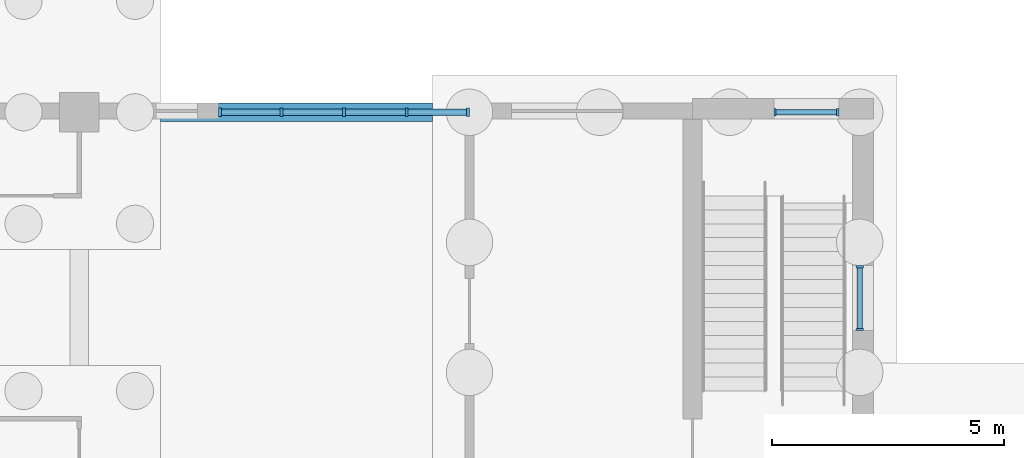
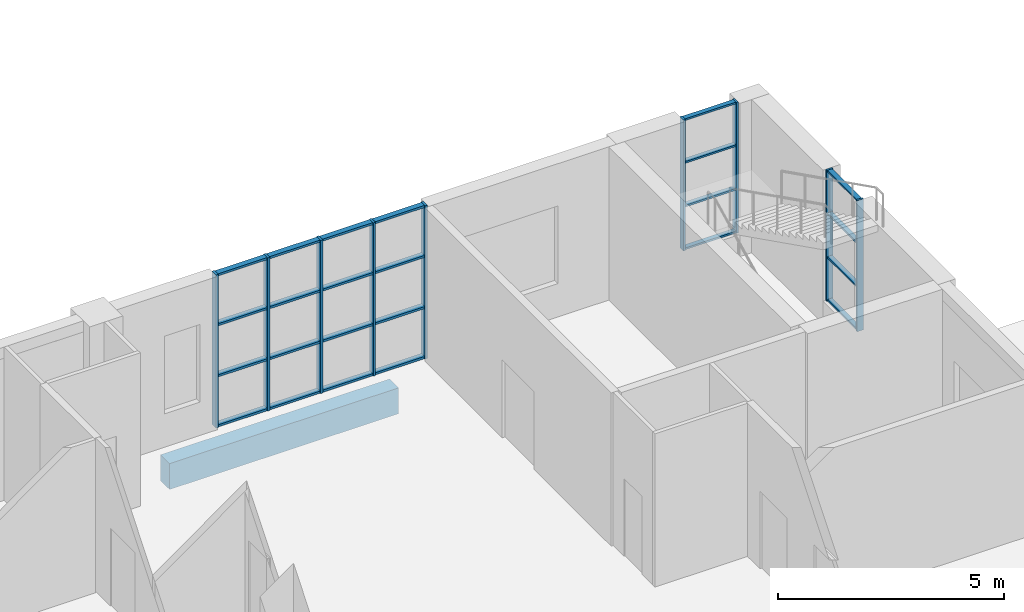
# One storey, part 74 of 138: 33 members, 1 beam, 3 elements without a shape of their own.
"""IFC4 building model written with IfcOpenShell, lengths in metres."""

from ifc_helpers import new_model, si_unit, direction, frame, origin, origin_2d, place, context, subcontext, project, spatial, rectangle, extrude, material, material_profile, profile_set, type_object, element, aggregate, save


model = new_model("IFC4")

# Units and contexts
model_context = context("Model", 3, precision=1e-05, world=origin(), true_north=direction((0.0, 1.0)))
body_context = subcontext(model_context, "Body", "Model", "MODEL_VIEW")
ifc_project = project(units=[si_unit("LENGTHUNIT", "METRE"), si_unit("AREAUNIT", "SQUARE_METRE"), si_unit("VOLUMEUNIT", "CUBIC_METRE"), si_unit("PLANEANGLEUNIT", "RADIAN"), si_unit("MASSUNIT", "GRAM", prefix="KILO")], contexts=[model_context])

# Site, building, storey
site_placement = place(None, origin())
site = spatial("IfcSite", under=ifc_project, at=site_placement, CompositionType="ELEMENT")
building_placement = place(site_placement, origin())
building = spatial("IfcBuilding", under=site, at=building_placement, Name="Yavir Park General Hospital", CompositionType="ELEMENT")
storey_placement = place(building_placement, origin())
storey = spatial("IfcBuildingStorey", under=building, at=storey_placement, Name="L00", CompositionType="ELEMENT", Elevation=0.0)

# Beam
ifc_material_1 = material(Name="Concrete C35/45", Category="concrete")
ifc_material_profile_1 = material_profile(ifc_material_1, rectangle(XDim=0.39990234375, YDim=0.699951171875, at=origin_2d()), Name="RC400x700")
ifc_profile_set_1 = profile_set([ifc_material_profile_1], Name="Concrete C35/45")
beam_type = type_object("IfcBeamType", Name="RC BEAM 400x700 ground beam", PredefinedType="BEAM", material=ifc_profile_set_1)
beam_placement = place(storey_placement, frame((10.14990234375, 117.60009765625, -0.800048828125), z_axis=(1.0, 0.0, 0.0), x_axis=(0.0, 1.0, 0.0)))
element("IfcBeam", 1, at=beam_placement, inside=storey, type_object=beam_type, Name="B:GND:L00:2Q:L00:SW3", PredefinedType="BEAM", context=body_context, shape_type="SweptSolid", body=[
    extrude(rectangle(XDim=0.39990234375, YDim=0.699951171875, at=origin_2d()), origin(), (0.0, 0.0, 1.0), 5.85009765625),
])

# Curtain wall, members
ifc_material_2 = material(Name="Aluminium curtain wall frame with insulated glazing", Category="aluminium")
curtain_wall_type_1 = type_object("IfcCurtainWallType", Name="Reception glazing, 4140 high, 1400 module", PredefinedType="NOTDEFINED", material=ifc_material_2)
curtain_wall_1_placement = place(storey_placement, origin())
curtain_wall_1 = element("IfcCurtainWall", 2, at=curtain_wall_1_placement, inside=storey, type_object=curtain_wall_type_1, Name="CW51 L00-035", PredefinedType="NOTDEFINED")
ifc_material_3 = material(Name="Aluminium", Category="aluminium")
ifc_material_profile_2 = material_profile(ifc_material_3, rectangle(XDim=0.179931640625, YDim=0.06005859375, at=origin_2d()), Name="AL 60x180")
ifc_profile_set_2 = profile_set([ifc_material_profile_2], Name="Aluminium")
member_type_1 = type_object("IfcMemberType", Name="Reception glazing, 4140 high mullion 60 x 180", PredefinedType="MULLION", material=ifc_profile_set_2)
member_1_placement = place(storey_placement, frame((11.429931640625, 117.60009765625, 0.0), z_axis=(0.0, 0.0, 1.0), x_axis=(0.0, 1.0, 0.0)))
member_1 = element("IfcMember", 3, at=member_1_placement, type_object=member_type_1, Name="CW51 mullion 1", PredefinedType="MULLION", context=body_context, shape_type="SweptSolid", body=[
    extrude(rectangle(XDim=0.179931640625, YDim=0.06005859375, at=origin_2d()), origin(), (0.0, 0.0, 1.0), 4.139892578125),
])
member_2_placement = place(storey_placement, frame((12.75, 117.60009765625, 0.0), z_axis=(0.0, 0.0, 1.0), x_axis=(0.0, 1.0, 0.0)))
member_2 = element("IfcMember", 4, at=member_2_placement, type_object=member_type_1, Name="CW51 mullion 2", PredefinedType="MULLION", context=body_context, shape_type="SweptSolid", body=[
    extrude(rectangle(XDim=0.179931640625, YDim=0.06005859375, at=origin_2d()), origin(), (0.0, 0.0, 1.0), 4.139892578125),
])
member_3_placement = place(storey_placement, frame((14.10009765625, 117.60009765625, 0.0), z_axis=(0.0, 0.0, 1.0), x_axis=(0.0, 1.0, 0.0)))
member_3 = element("IfcMember", 5, at=member_3_placement, type_object=member_type_1, Name="CW51 mullion 3", PredefinedType="MULLION", context=body_context, shape_type="SweptSolid", body=[
    extrude(rectangle(XDim=0.179931640625, YDim=0.06005859375, at=origin_2d()), origin(), (0.0, 0.0, 1.0), 4.139892578125),
])
member_4_placement = place(storey_placement, frame((15.449951171875, 117.60009765625, 0.0), z_axis=(0.0, 0.0, 1.0), x_axis=(0.0, 1.0, 0.0)))
member_4 = element("IfcMember", 6, at=member_4_placement, type_object=member_type_1, Name="CW51 mullion 4", PredefinedType="MULLION", context=body_context, shape_type="SweptSolid", body=[
    extrude(rectangle(XDim=0.179931640625, YDim=0.06005859375, at=origin_2d()), origin(), (0.0, 0.0, 1.0), 4.139892578125),
])
member_5_placement = place(storey_placement, frame((16.77001953125, 117.60009765625, 0.0), z_axis=(0.0, 0.0, 1.0), x_axis=(0.0, 1.0, 0.0)))
member_5 = element("IfcMember", 7, at=member_5_placement, type_object=member_type_1, Name="CW51 mullion 5", PredefinedType="MULLION", context=body_context, shape_type="SweptSolid", body=[
    extrude(rectangle(XDim=0.179931640625, YDim=0.06005859375, at=origin_2d()), origin(), (0.0, 0.0, 1.0), 4.139892578125),
])
ifc_material_4 = material(Name="Aluminium", Category="aluminium")
ifc_material_profile_3 = material_profile(ifc_material_4, rectangle(XDim=0.139892578125, YDim=0.06005859375, at=origin_2d()), Name="AL 140x60")
ifc_profile_set_3 = profile_set([ifc_material_profile_3], Name="Aluminium")
member_type_2 = type_object("IfcMemberType", Name="Reception glazing, 4140 high transom 60 x 140", PredefinedType="MULLION", material=ifc_profile_set_3)
member_6_placement = place(storey_placement, frame((11.4599609375, 117.60009765625, 0.030029296875), z_axis=(1.0, 0.0, 0.0), x_axis=(0.0, 1.0, 0.0)))
member_6 = element("IfcMember", 8, at=member_6_placement, type_object=member_type_2, Name="CW51 transom 1.1", PredefinedType="MULLION", context=body_context, shape_type="SweptSolid", body=[
    extrude(rectangle(XDim=0.139892578125, YDim=0.06005859375, at=origin_2d()), origin(), (0.0, 0.0, 1.0), 1.260009765625),
])
member_7_placement = place(storey_placement, frame((11.4599609375, 117.60009765625, 1.3798828125), z_axis=(1.0, 0.0, 0.0), x_axis=(0.0, 1.0, 0.0)))
member_7 = element("IfcMember", 9, at=member_7_placement, type_object=member_type_2, Name="CW51 transom 1.2", PredefinedType="MULLION", context=body_context, shape_type="SweptSolid", body=[
    extrude(rectangle(XDim=0.139892578125, YDim=0.06005859375, at=origin_2d()), origin(), (0.0, 0.0, 1.0), 1.260009765625),
])
member_8_placement = place(storey_placement, frame((11.4599609375, 117.60009765625, 2.760009765625), z_axis=(1.0, 0.0, 0.0), x_axis=(0.0, 1.0, 0.0)))
member_8 = element("IfcMember", 10, at=member_8_placement, type_object=member_type_2, Name="CW51 transom 1.3", PredefinedType="MULLION", context=body_context, shape_type="SweptSolid", body=[
    extrude(rectangle(XDim=0.139892578125, YDim=0.06005859375, at=origin_2d()), origin(), (0.0, 0.0, 1.0), 1.260009765625),
])
member_9_placement = place(storey_placement, frame((11.4599609375, 117.60009765625, 4.110107421875), z_axis=(1.0, 0.0, 0.0), x_axis=(0.0, 1.0, 0.0)))
member_9 = element("IfcMember", 11, at=member_9_placement, type_object=member_type_2, Name="CW51 transom 1.4", PredefinedType="MULLION", context=body_context, shape_type="SweptSolid", body=[
    extrude(rectangle(XDim=0.139892578125, YDim=0.06005859375, at=origin_2d()), origin(), (0.0, 0.0, 1.0), 1.260009765625),
])
member_10_placement = place(storey_placement, frame((12.780029296875, 117.60009765625, 0.030029296875), z_axis=(1.0, 0.0, 0.0), x_axis=(0.0, 1.0, 0.0)))
member_10 = element("IfcMember", 12, at=member_10_placement, type_object=member_type_2, Name="CW51 transom 2.1", PredefinedType="MULLION", context=body_context, shape_type="SweptSolid", body=[
    extrude(rectangle(XDim=0.139892578125, YDim=0.06005859375, at=origin_2d()), origin(), (0.0, 0.0, 1.0), 1.2900390625),
])
member_11_placement = place(storey_placement, frame((12.780029296875, 117.60009765625, 1.3798828125), z_axis=(1.0, 0.0, 0.0), x_axis=(0.0, 1.0, 0.0)))
member_11 = element("IfcMember", 13, at=member_11_placement, type_object=member_type_2, Name="CW51 transom 2.2", PredefinedType="MULLION", context=body_context, shape_type="SweptSolid", body=[
    extrude(rectangle(XDim=0.139892578125, YDim=0.06005859375, at=origin_2d()), origin(), (0.0, 0.0, 1.0), 1.2900390625),
])
member_12_placement = place(storey_placement, frame((12.780029296875, 117.60009765625, 2.760009765625), z_axis=(1.0, 0.0, 0.0), x_axis=(0.0, 1.0, 0.0)))
member_12 = element("IfcMember", 14, at=member_12_placement, type_object=member_type_2, Name="CW51 transom 2.3", PredefinedType="MULLION", context=body_context, shape_type="SweptSolid", body=[
    extrude(rectangle(XDim=0.139892578125, YDim=0.06005859375, at=origin_2d()), origin(), (0.0, 0.0, 1.0), 1.2900390625),
])
member_13_placement = place(storey_placement, frame((12.780029296875, 117.60009765625, 4.110107421875), z_axis=(1.0, 0.0, 0.0), x_axis=(0.0, 1.0, 0.0)))
member_13 = element("IfcMember", 15, at=member_13_placement, type_object=member_type_2, Name="CW51 transom 2.4", PredefinedType="MULLION", context=body_context, shape_type="SweptSolid", body=[
    extrude(rectangle(XDim=0.139892578125, YDim=0.06005859375, at=origin_2d()), origin(), (0.0, 0.0, 1.0), 1.2900390625),
])
member_14_placement = place(storey_placement, frame((14.1298828125, 117.60009765625, 0.030029296875), z_axis=(1.0, 0.0, 0.0), x_axis=(0.0, 1.0, 0.0)))
member_14 = element("IfcMember", 16, at=member_14_placement, type_object=member_type_2, Name="CW51 transom 3.1", PredefinedType="MULLION", context=body_context, shape_type="SweptSolid", body=[
    extrude(rectangle(XDim=0.139892578125, YDim=0.06005859375, at=origin_2d()), origin(), (0.0, 0.0, 1.0), 1.2900390625),
])
member_15_placement = place(storey_placement, frame((14.1298828125, 117.60009765625, 1.3798828125), z_axis=(1.0, 0.0, 0.0), x_axis=(0.0, 1.0, 0.0)))
member_15 = element("IfcMember", 17, at=member_15_placement, type_object=member_type_2, Name="CW51 transom 3.2", PredefinedType="MULLION", context=body_context, shape_type="SweptSolid", body=[
    extrude(rectangle(XDim=0.139892578125, YDim=0.06005859375, at=origin_2d()), origin(), (0.0, 0.0, 1.0), 1.2900390625),
])
member_16_placement = place(storey_placement, frame((14.1298828125, 117.60009765625, 2.760009765625), z_axis=(1.0, 0.0, 0.0), x_axis=(0.0, 1.0, 0.0)))
member_16 = element("IfcMember", 18, at=member_16_placement, type_object=member_type_2, Name="CW51 transom 3.3", PredefinedType="MULLION", context=body_context, shape_type="SweptSolid", body=[
    extrude(rectangle(XDim=0.139892578125, YDim=0.06005859375, at=origin_2d()), origin(), (0.0, 0.0, 1.0), 1.2900390625),
])
member_17_placement = place(storey_placement, frame((14.1298828125, 117.60009765625, 4.110107421875), z_axis=(1.0, 0.0, 0.0), x_axis=(0.0, 1.0, 0.0)))
member_17 = element("IfcMember", 19, at=member_17_placement, type_object=member_type_2, Name="CW51 transom 3.4", PredefinedType="MULLION", context=body_context, shape_type="SweptSolid", body=[
    extrude(rectangle(XDim=0.139892578125, YDim=0.06005859375, at=origin_2d()), origin(), (0.0, 0.0, 1.0), 1.2900390625),
])
member_18_placement = place(storey_placement, frame((15.47998046875, 117.60009765625, 0.030029296875), z_axis=(1.0, 0.0, 0.0), x_axis=(0.0, 1.0, 0.0)))
member_18 = element("IfcMember", 20, at=member_18_placement, type_object=member_type_2, Name="CW51 transom 4.1", PredefinedType="MULLION", context=body_context, shape_type="SweptSolid", body=[
    extrude(rectangle(XDim=0.139892578125, YDim=0.06005859375, at=origin_2d()), origin(), (0.0, 0.0, 1.0), 1.260009765625),
])
member_19_placement = place(storey_placement, frame((15.47998046875, 117.60009765625, 1.3798828125), z_axis=(1.0, 0.0, 0.0), x_axis=(0.0, 1.0, 0.0)))
member_19 = element("IfcMember", 21, at=member_19_placement, type_object=member_type_2, Name="CW51 transom 4.2", PredefinedType="MULLION", context=body_context, shape_type="SweptSolid", body=[
    extrude(rectangle(XDim=0.139892578125, YDim=0.06005859375, at=origin_2d()), origin(), (0.0, 0.0, 1.0), 1.260009765625),
])
member_20_placement = place(storey_placement, frame((15.47998046875, 117.60009765625, 2.760009765625), z_axis=(1.0, 0.0, 0.0), x_axis=(0.0, 1.0, 0.0)))
member_20 = element("IfcMember", 22, at=member_20_placement, type_object=member_type_2, Name="CW51 transom 4.3", PredefinedType="MULLION", context=body_context, shape_type="SweptSolid", body=[
    extrude(rectangle(XDim=0.139892578125, YDim=0.06005859375, at=origin_2d()), origin(), (0.0, 0.0, 1.0), 1.260009765625),
])
member_21_placement = place(storey_placement, frame((15.47998046875, 117.60009765625, 4.110107421875), z_axis=(1.0, 0.0, 0.0), x_axis=(0.0, 1.0, 0.0)))
member_21 = element("IfcMember", 23, at=member_21_placement, type_object=member_type_2, Name="CW51 transom 4.4", PredefinedType="MULLION", context=body_context, shape_type="SweptSolid", body=[
    extrude(rectangle(XDim=0.139892578125, YDim=0.06005859375, at=origin_2d()), origin(), (0.0, 0.0, 1.0), 1.260009765625),
])
aggregate(curtain_wall_1, [member_1, member_2, member_3, member_4, member_5, member_6, member_7, member_8, member_9, member_10, member_11, member_12, member_13, member_14, member_15, member_16, member_17, member_18, member_19, member_20, member_21])

ifc_material_5 = material(Name="Aluminium curtain wall frame with insulated glazing", Category="aluminium")
curtain_wall_type_2 = type_object("IfcCurtainWallType", Name="Stair light slot, ground floor, 3540 high, 1400 module", PredefinedType="NOTDEFINED", material=ifc_material_5)
curtain_wall_2_placement = place(storey_placement, origin())
curtain_wall_2 = element("IfcCurtainWall", 24, at=curtain_wall_2_placement, inside=storey, type_object=curtain_wall_type_2, Name="CW19 L00-036", PredefinedType="NOTDEFINED")
ifc_material_6 = material(Name="Aluminium", Category="aluminium")
ifc_material_profile_4 = material_profile(ifc_material_6, rectangle(XDim=0.159912109375, YDim=0.050048828125, at=origin_2d()), Name="AL 50x160")
ifc_profile_set_4 = profile_set([ifc_material_profile_4], Name="Aluminium")
member_type_3 = type_object("IfcMemberType", Name="Stair light slot, ground floor, 3540 high mullion 50 x 160", PredefinedType="MULLION", material=ifc_profile_set_4)
member_22_placement = place(storey_placement, frame((23.375, 117.60009765625, 0.60009765625), z_axis=(0.0, 0.0, 1.0), x_axis=(0.0, 1.0, 0.0)))
member_22 = element("IfcMember", 25, at=member_22_placement, type_object=member_type_3, Name="CW19 mullion 1", PredefinedType="MULLION", context=body_context, shape_type="SweptSolid", body=[
    extrude(rectangle(XDim=0.159912109375, YDim=0.050048828125, at=origin_2d()), origin(), (0.0, 0.0, 1.0), 3.539794921875),
])
member_23_placement = place(storey_placement, frame((24.72509765625, 117.60009765625, 0.60009765625), z_axis=(0.0, 0.0, 1.0), x_axis=(0.0, 1.0, 0.0)))
member_23 = element("IfcMember", 26, at=member_23_placement, type_object=member_type_3, Name="CW19 mullion 2", PredefinedType="MULLION", context=body_context, shape_type="SweptSolid", body=[
    extrude(rectangle(XDim=0.159912109375, YDim=0.050048828125, at=origin_2d()), origin(), (0.0, 0.0, 1.0), 3.539794921875),
])

curtain_wall_3_placement = place(storey_placement, origin())
curtain_wall_3 = element("IfcCurtainWall", 27, at=curtain_wall_3_placement, inside=storey, type_object=curtain_wall_type_2, Name="CW19 L00-044", PredefinedType="NOTDEFINED")
member_24_placement = place(storey_placement, frame((25.199951171875, 112.925048828125, 0.60009765625), z_axis=(0.0, 0.0, 1.0), x_axis=(-1.0, 0.0, 0.0)))
member_24 = element("IfcMember", 28, at=member_24_placement, type_object=member_type_3, Name="CW19 mullion 1", PredefinedType="MULLION", context=body_context, shape_type="SweptSolid", body=[
    extrude(rectangle(XDim=0.159912109375, YDim=0.050048828125, at=origin_2d()), origin(), (0.0, 0.0, 1.0), 3.539794921875),
])
member_25_placement = place(storey_placement, frame((25.199951171875, 114.27490234375, 0.60009765625), z_axis=(0.0, 0.0, 1.0), x_axis=(-1.0, 0.0, 0.0)))
member_25 = element("IfcMember", 29, at=member_25_placement, type_object=member_type_3, Name="CW19 mullion 2", PredefinedType="MULLION", context=body_context, shape_type="SweptSolid", body=[
    extrude(rectangle(XDim=0.159912109375, YDim=0.050048828125, at=origin_2d()), origin(), (0.0, 0.0, 1.0), 3.539794921875),
])

# Member
ifc_material_7 = material(Name="Aluminium", Category="aluminium")
ifc_material_profile_5 = material_profile(ifc_material_7, rectangle(XDim=0.1201171875, YDim=0.050048828125, at=origin_2d()), Name="AL 120x50")
ifc_profile_set_5 = profile_set([ifc_material_profile_5], Name="Aluminium")
member_type_4 = type_object("IfcMemberType", Name="Stair light slot, ground floor, 3540 high transom 50 x 120", PredefinedType="MULLION", material=ifc_profile_set_5)
member_26_placement = place(storey_placement, frame((23.39990234375, 117.60009765625, 0.625), z_axis=(1.0, 0.0, 0.0), x_axis=(0.0, 1.0, 0.0)))
member_26 = element("IfcMember", 30, at=member_26_placement, type_object=member_type_4, Name="CW19 transom 1.1", PredefinedType="MULLION", context=body_context, shape_type="SweptSolid", body=[
    extrude(rectangle(XDim=0.1201171875, YDim=0.050048828125, at=origin_2d()), origin(), (0.0, 0.0, 1.0), 1.300048828125),
])

member_27_placement = place(storey_placement, frame((23.39990234375, 117.60009765625, 1.780029296875), z_axis=(1.0, 0.0, 0.0), x_axis=(0.0, 1.0, 0.0)))
member_27 = element("IfcMember", 31, at=member_27_placement, type_object=member_type_4, Name="CW19 transom 1.2", PredefinedType="MULLION", context=body_context, shape_type="SweptSolid", body=[
    extrude(rectangle(XDim=0.1201171875, YDim=0.050048828125, at=origin_2d()), origin(), (0.0, 0.0, 1.0), 1.300048828125),
])

member_28_placement = place(storey_placement, frame((23.39990234375, 117.60009765625, 2.9599609375), z_axis=(1.0, 0.0, 0.0), x_axis=(0.0, 1.0, 0.0)))
member_28 = element("IfcMember", 32, at=member_28_placement, type_object=member_type_4, Name="CW19 transom 1.3", PredefinedType="MULLION", context=body_context, shape_type="SweptSolid", body=[
    extrude(rectangle(XDim=0.1201171875, YDim=0.050048828125, at=origin_2d()), origin(), (0.0, 0.0, 1.0), 1.300048828125),
])

member_29_placement = place(storey_placement, frame((23.39990234375, 117.60009765625, 4.114990234375), z_axis=(1.0, 0.0, 0.0), x_axis=(0.0, 1.0, 0.0)))
member_29 = element("IfcMember", 33, at=member_29_placement, type_object=member_type_4, Name="CW19 transom 1.4", PredefinedType="MULLION", context=body_context, shape_type="SweptSolid", body=[
    extrude(rectangle(XDim=0.1201171875, YDim=0.050048828125, at=origin_2d()), origin(), (0.0, 0.0, 1.0), 1.300048828125),
])

aggregate(curtain_wall_2, [member_22, member_23, member_26, member_27, member_28, member_29])

member_30_placement = place(storey_placement, frame((25.199951171875, 112.949951171875, 0.625), z_axis=(0.0, 1.0, 0.0), x_axis=(-1.0, 0.0, 0.0)))
member_30 = element("IfcMember", 34, at=member_30_placement, type_object=member_type_4, Name="CW19 transom 1.1", PredefinedType="MULLION", context=body_context, shape_type="SweptSolid", body=[
    extrude(rectangle(XDim=0.1201171875, YDim=0.050048828125, at=origin_2d()), origin(), (0.0, 0.0, 1.0), 1.300048828125),
])

member_31_placement = place(storey_placement, frame((25.199951171875, 112.949951171875, 1.780029296875), z_axis=(0.0, 1.0, 0.0), x_axis=(-1.0, 0.0, 0.0)))
member_31 = element("IfcMember", 35, at=member_31_placement, type_object=member_type_4, Name="CW19 transom 1.2", PredefinedType="MULLION", context=body_context, shape_type="SweptSolid", body=[
    extrude(rectangle(XDim=0.1201171875, YDim=0.050048828125, at=origin_2d()), origin(), (0.0, 0.0, 1.0), 1.300048828125),
])

member_32_placement = place(storey_placement, frame((25.199951171875, 112.949951171875, 2.9599609375), z_axis=(0.0, 1.0, 0.0), x_axis=(-1.0, 0.0, 0.0)))
member_32 = element("IfcMember", 36, at=member_32_placement, type_object=member_type_4, Name="CW19 transom 1.3", PredefinedType="MULLION", context=body_context, shape_type="SweptSolid", body=[
    extrude(rectangle(XDim=0.1201171875, YDim=0.050048828125, at=origin_2d()), origin(), (0.0, 0.0, 1.0), 1.300048828125),
])

member_33_placement = place(storey_placement, frame((25.199951171875, 112.949951171875, 4.114990234375), z_axis=(0.0, 1.0, 0.0), x_axis=(-1.0, 0.0, 0.0)))
member_33 = element("IfcMember", 37, at=member_33_placement, type_object=member_type_4, Name="CW19 transom 1.4", PredefinedType="MULLION", context=body_context, shape_type="SweptSolid", body=[
    extrude(rectangle(XDim=0.1201171875, YDim=0.050048828125, at=origin_2d()), origin(), (0.0, 0.0, 1.0), 1.300048828125),
])

aggregate(curtain_wall_3, [member_24, member_25, member_30, member_31, member_32, member_33])

save(model, "model.ifc")
